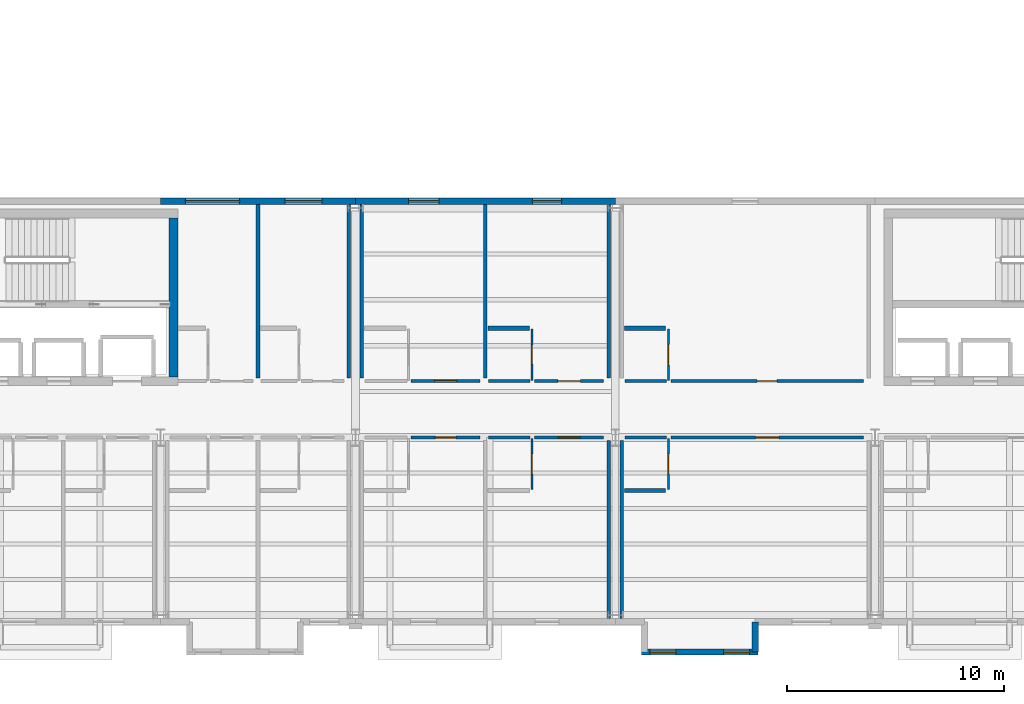
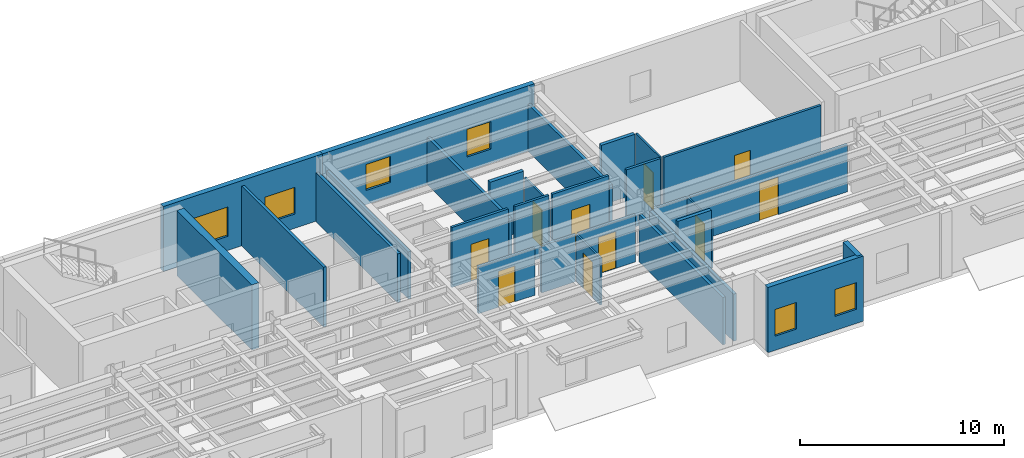
# One storey, part 31 of 46: 29 walls, 10 doors, 6 windows, 16 openings.
"""IFC4 building model written with IfcOpenShell, lengths in metres."""

from ifc_helpers import new_model, si_unit, direction, frame, frame_2d, origin, place, context, subcontext, project, spatial, rectangle, extrude, material, layer, layer_set, type_object, element, fill, save


model = new_model("IFC4")

# Units and contexts
model_context = context("Model", 3, precision=1e-05, world=origin(), true_north=direction((0.0, 1.0)))
body_context = subcontext(model_context, "Body", "Model", "MODEL_VIEW")
ifc_project = project(units=[si_unit("LENGTHUNIT", "METRE"), si_unit("AREAUNIT", "SQUARE_METRE"), si_unit("VOLUMEUNIT", "CUBIC_METRE"), si_unit("PLANEANGLEUNIT", "RADIAN"), si_unit("MASSUNIT", "GRAM", prefix="KILO")], contexts=[model_context])

# Site, building, storey
site_placement = place(None, origin())
site = spatial("IfcSite", under=ifc_project, at=site_placement, CompositionType="ELEMENT")
building_placement = place(site_placement, origin())
building = spatial("IfcBuilding", under=site, at=building_placement, Name="Sollismere Congress Hotel", CompositionType="ELEMENT")
storey_placement = place(building_placement, frame((0.0, 0.0, 19.5)))
storey = spatial("IfcBuildingStorey", under=building, at=storey_placement, Name="L04", CompositionType="ELEMENT", Elevation=19.5)

# Wall, openings, windows
ifc_material_1 = material(Name="Colorado Buff Sandstone Rainscreen on Insulated Backup", Category="masonry")
ifc_layer_1 = layer(ifc_material_1, 0.284912109375, Name="Colorado Buff Sandstone Rainscreen on Insulated Backup")
ifc_layer_set_1 = layer_set([ifc_layer_1], Name="Colorado Buff Sandstone Rainscreen on Insulated Backup")
wall_type_1 = type_object("IfcWallType", Name="WL-EXT285", PredefinedType="STANDARD", material=ifc_layer_set_1)
wall_1_placement = place(storey_placement, frame((125.199951171875, -1.699951171875, 0.0), z_axis=(0.0, 0.0, 1.0), x_axis=(1.0, 0.0, 0.0)))
wall_1 = element("IfcWall", 1, at=wall_1_placement, inside=storey, type_object=wall_type_1, Name="Exterior wall EW-L04-507", PredefinedType="STANDARD", context=body_context, shape_type="SweptSolid", body=[
    extrude(rectangle(XDim=5.400146484375, YDim=0.284912109375, at=frame_2d((2.7001953125, 0.0))), origin(), (0.0, 0.0, 1.0), 3.89990234375),
])
opening_1_placement = place(wall_1_placement, frame((0.39990234375, 0.0, 0.85009765625)))
opening_1 = element("IfcOpeningElement", 2, at=opening_1_placement, cuts=wall_1, Name="Opening W-L04-388", PredefinedType="OPENING", context=body_context, shape_type="SweptSolid", body=[
    extrude(rectangle(XDim=1.199951171875, YDim=1.60009765625, at=frame_2d((0.60009765625, 0.800048828125))), frame((0.0, 0.15234375, 0.0), z_axis=(0.0, -1.0, 0.0), x_axis=(1.0, 0.0, 0.0)), (0.0, 0.0, 1.0), 0.304931640625),
])
opening_2_placement = place(wall_1_placement, frame((3.800048828125, 0.0, 0.85009765625)))
opening_2 = element("IfcOpeningElement", 3, at=opening_2_placement, cuts=wall_1, Name="Opening W-L04-389", PredefinedType="OPENING", context=body_context, shape_type="SweptSolid", body=[
    extrude(rectangle(XDim=1.199951171875, YDim=1.60009765625, at=frame_2d((0.60009765625, 0.800048828125))), frame((0.0, 0.15234375, 0.0), z_axis=(0.0, -1.0, 0.0), x_axis=(1.0, 0.0, 0.0)), (0.0, 0.0, 1.0), 0.304931640625),
])
ifc_material_2 = material(Name="Thermally Broken Bronze Aluminum & Low-E Glass", Category="aluminium")
window_type_1 = type_object("IfcWindowType", Name="WN-P120x160", PartitioningType="SINGLE_PANEL", PredefinedType="WINDOW", material=ifc_material_2)
window_1_placement = place(opening_1_placement, origin())
window_1 = element("IfcWindow", 4, at=window_1_placement, inside=storey, type_object=window_type_1, Name="WIN-W-L04-388", OverallHeight=1.60009765625, OverallWidth=1.199951171875, PartitioningType="SINGLE_PANEL", PredefinedType="WINDOW", context=body_context, shape_type="SweptSolid", body=[
    extrude(rectangle(XDim=1.199951171875, YDim=1.60009765625, at=frame_2d((0.60009765625, 0.800048828125))), frame((0.0, 0.030029296875, 0.0), z_axis=(0.0, -1.0, 0.0), x_axis=(1.0, 0.0, 0.0)), (0.0, 0.0, 1.0), 0.06005859375),
])
fill(opening_1, window_1)
window_2_placement = place(opening_2_placement, origin())
window_2 = element("IfcWindow", 5, at=window_2_placement, inside=storey, type_object=window_type_1, Name="WIN-W-L04-389", OverallHeight=1.60009765625, OverallWidth=1.199951171875, PartitioningType="SINGLE_PANEL", PredefinedType="WINDOW", context=body_context, shape_type="SweptSolid", body=[
    extrude(rectangle(XDim=1.199951171875, YDim=1.60009765625, at=frame_2d((0.60009765625, 0.800048828125))), frame((0.0, 0.030029296875, 0.0), z_axis=(0.0, -1.0, 0.0), x_axis=(1.0, 0.0, 0.0)), (0.0, 0.0, 1.0), 0.06005859375),
])
fill(opening_2, window_2)

# Wall
wall_2_placement = place(storey_placement, frame((130.4599609375, -1.699951171875, 0.0), z_axis=(0.0, 0.0, 1.0), x_axis=(0.0, 1.0, 0.0)))
element("IfcWall", 6, at=wall_2_placement, inside=storey, type_object=wall_type_1, Name="Exterior wall EW-L04-509", PredefinedType="STANDARD", context=body_context, shape_type="SweptSolid", body=[
    extrude(rectangle(XDim=1.389892578125, YDim=0.284912109375, at=frame_2d((0.69482421875, 0.0))), origin(), (0.0, 0.0, 1.0), 3.89990234375),
])

# Wall, openings, windows
wall_3_placement = place(storey_placement, frame((112.0, 19.110107421875, 0.0), z_axis=(0.0, 0.0, 1.0), x_axis=(-1.0, 0.0, 0.0)))
wall_3 = element("IfcWall", 7, at=wall_3_placement, inside=storey, type_object=wall_type_1, Name="Exterior wall EW-L04-552", PredefinedType="STANDARD", context=body_context, shape_type="SweptSolid", body=[
    extrude(rectangle(XDim=9.0, YDim=0.284912109375, at=frame_2d((4.5, 0.0))), origin(), (0.0, 0.0, 1.0), 3.89990234375),
])
opening_3_placement = place(wall_3_placement, frame((5.35009765625, 0.0, 0.85009765625)))
opening_3 = element("IfcOpeningElement", 8, at=opening_3_placement, cuts=wall_3, Name="Opening W-L04-412", PredefinedType="OPENING", context=body_context, shape_type="SweptSolid", body=[
    extrude(rectangle(XDim=2.5, YDim=1.75, at=frame_2d((1.25, 0.875))), frame((0.0, 0.15234375, 0.0), z_axis=(0.0, -1.0, 0.0), x_axis=(1.0, 0.0, 0.0)), (0.0, 0.0, 1.0), 0.304931640625),
])
opening_4_placement = place(wall_3_placement, frame((1.550048828125, 0.0, 0.85009765625)))
opening_4 = element("IfcOpeningElement", 9, at=opening_4_placement, cuts=wall_3, Name="Opening W-L04-413", PredefinedType="OPENING", context=body_context, shape_type="SweptSolid", body=[
    extrude(rectangle(XDim=1.699951171875, YDim=1.60009765625, at=frame_2d((0.85009765625, 0.800048828125))), frame((0.0, 0.15234375, 0.0), z_axis=(0.0, -1.0, 0.0), x_axis=(1.0, 0.0, 0.0)), (0.0, 0.0, 1.0), 0.304931640625),
])
window_type_2 = type_object("IfcWindowType", Name="WN-P170x160", PartitioningType="SINGLE_PANEL", PredefinedType="WINDOW", material=ifc_material_2)
window_3_placement = place(opening_4_placement, origin())
window_3 = element("IfcWindow", 10, at=window_3_placement, inside=storey, type_object=window_type_2, Name="WIN-W-L04-413", OverallHeight=1.60009765625, OverallWidth=1.699951171875, PartitioningType="SINGLE_PANEL", PredefinedType="WINDOW", context=body_context, shape_type="SweptSolid", body=[
    extrude(rectangle(XDim=1.699951171875, YDim=1.60009765625, at=frame_2d((0.85009765625, 0.800048828125))), frame((0.0, 0.030029296875, 0.0), z_axis=(0.0, -1.0, 0.0), x_axis=(1.0, 0.0, 0.0)), (0.0, 0.0, 1.0), 0.06005859375),
])
fill(opening_4, window_3)
window_type_3 = type_object("IfcWindowType", Name="WN-P250x175", PartitioningType="SINGLE_PANEL", PredefinedType="WINDOW", material=ifc_material_2)
window_4_placement = place(opening_3_placement, origin())
window_4 = element("IfcWindow", 11, at=window_4_placement, inside=storey, type_object=window_type_3, Name="WIN-W-L04-412", OverallHeight=1.75, OverallWidth=2.5, PartitioningType="SINGLE_PANEL", PredefinedType="WINDOW", context=body_context, shape_type="SweptSolid", body=[
    extrude(rectangle(XDim=2.5, YDim=1.75, at=frame_2d((1.25, 0.875))), frame((0.0, 0.030029296875, 0.0), z_axis=(0.0, -1.0, 0.0), x_axis=(1.0, 0.0, 0.0)), (0.0, 0.0, 1.0), 0.06005859375),
])
fill(opening_3, window_4)

wall_4_placement = place(storey_placement, frame((124.0, 19.110107421875, 0.0), z_axis=(0.0, 0.0, 1.0), x_axis=(-1.0, 0.0, 0.0)))
wall_4 = element("IfcWall", 12, at=wall_4_placement, inside=storey, type_object=wall_type_1, Name="Exterior wall EW-L04-553", PredefinedType="STANDARD", context=body_context, shape_type="SweptSolid", body=[
    extrude(rectangle(XDim=12.0, YDim=0.284912109375, at=frame_2d((6.0, 0.0))), origin(), (0.0, 0.0, 1.0), 3.89990234375),
])
opening_5_placement = place(wall_4_placement, frame((8.14990234375, 0.0, 0.85009765625)))
opening_5 = element("IfcOpeningElement", 13, at=opening_5_placement, cuts=wall_4, Name="Opening W-L04-414", PredefinedType="OPENING", context=body_context, shape_type="SweptSolid", body=[
    extrude(rectangle(XDim=1.39990234375, YDim=1.550048828125, at=frame_2d((0.699951171875, 0.77490234375))), frame((0.0, 0.15234375, 0.0), z_axis=(0.0, -1.0, 0.0), x_axis=(1.0, 0.0, 0.0)), (0.0, 0.0, 1.0), 0.304931640625),
])
opening_6_placement = place(wall_4_placement, frame((2.47509765625, 0.0, 0.85009765625)))
opening_6 = element("IfcOpeningElement", 14, at=opening_6_placement, cuts=wall_4, Name="Opening W-L04-415", PredefinedType="OPENING", context=body_context, shape_type="SweptSolid", body=[
    extrude(rectangle(XDim=1.35009765625, YDim=1.64990234375, at=frame_2d((0.675048828125, 0.824951171875))), frame((0.0, 0.15234375, 0.0), z_axis=(0.0, -1.0, 0.0), x_axis=(1.0, 0.0, 0.0)), (0.0, 0.0, 1.0), 0.304931640625),
])
window_type_4 = type_object("IfcWindowType", Name="WN-P135x165", PartitioningType="SINGLE_PANEL", PredefinedType="WINDOW", material=ifc_material_2)
window_5_placement = place(opening_6_placement, origin())
window_5 = element("IfcWindow", 15, at=window_5_placement, inside=storey, type_object=window_type_4, Name="WIN-W-L04-415", OverallHeight=1.64990234375, OverallWidth=1.35009765625, PartitioningType="SINGLE_PANEL", PredefinedType="WINDOW", context=body_context, shape_type="SweptSolid", body=[
    extrude(rectangle(XDim=1.35009765625, YDim=1.64990234375, at=frame_2d((0.675048828125, 0.824951171875))), frame((0.0, 0.030029296875, 0.0), z_axis=(0.0, -1.0, 0.0), x_axis=(1.0, 0.0, 0.0)), (0.0, 0.0, 1.0), 0.06005859375),
])
fill(opening_6, window_5)
window_type_5 = type_object("IfcWindowType", Name="WN-P140x155", PartitioningType="SINGLE_PANEL", PredefinedType="WINDOW", material=ifc_material_2)
window_6_placement = place(opening_5_placement, origin())
window_6 = element("IfcWindow", 16, at=window_6_placement, inside=storey, type_object=window_type_5, Name="WIN-W-L04-414", OverallHeight=1.550048828125, OverallWidth=1.39990234375, PartitioningType="SINGLE_PANEL", PredefinedType="WINDOW", context=body_context, shape_type="SweptSolid", body=[
    extrude(rectangle(XDim=1.39990234375, YDim=1.550048828125, at=frame_2d((0.699951171875, 0.77490234375))), frame((0.0, 0.030029296875, 0.0), z_axis=(0.0, -1.0, 0.0), x_axis=(1.0, 0.0, 0.0)), (0.0, 0.0, 1.0), 0.06005859375),
])
fill(opening_5, window_6)

# Walls
ifc_material_3 = material(Name="Moisture-Resistant Shaft Gypsum Assembly")
ifc_layer_2 = layer(ifc_material_3, 0.199951171875, Name="Moisture-Resistant Shaft Gypsum Assembly")
ifc_layer_set_2 = layer_set([ifc_layer_2], Name="Moisture-Resistant Shaft Gypsum Assembly")
wall_type_2 = type_object("IfcWallType", Name="WL-PLM200", PredefinedType="PLUMBINGWALL", material=ifc_layer_set_2)
wall_5_placement = place(storey_placement, frame((118.1201171875, 13.25, 0.0), z_axis=(0.0, 0.0, 1.0), x_axis=(1.0, 0.0, 0.0)))
element("IfcWall", 17, at=wall_5_placement, inside=storey, type_object=wall_type_2, Name="Interior wall IW-L04-1620", PredefinedType="PLUMBINGWALL", context=body_context, shape_type="SweptSolid", body=[
    extrude(rectangle(XDim=1.909912109375, YDim=0.199951171875, at=frame_2d((0.955078125, 0.0))), origin(), (0.0, 0.0, 1.0), 3.5849609375),
])
for number, where, z_axis, x_axis, name in (
    (18, (124.419921875, 5.75, 0.0), (0.0, 0.0, 1.0), (1.0, 0.0, 0.0), "Interior wall IW-L04-1626"),
    (19, (124.419921875, 13.25, 0.0), (0.0, 0.0, 1.0), (1.0, 0.0, 0.0), "Interior wall IW-L04-1632"),
):
    element("IfcWall", number, at=place(storey_placement, frame(where, z_axis=z_axis, x_axis=x_axis)), inside=storey, type_object=wall_type_2, Name=name, PredefinedType="PLUMBINGWALL", context=body_context, shape_type="SweptSolid", body=[
        extrude(rectangle(XDim=1.91015625, YDim=0.199951171875, at=frame_2d((0.955078125, 0.0))), origin(), (0.0, 0.0, 1.0), 3.5849609375),
    ])

# Wall, opening, door
ifc_material_4 = material(Name="Moisture-Resistant Gypsum Partition")
ifc_layer_3 = layer(ifc_material_4, 0.10009765625, Name="Moisture-Resistant Gypsum Partition")
ifc_layer_set_3 = layer_set([ifc_layer_3], Name="Moisture-Resistant Gypsum Partition")
wall_type_3 = type_object("IfcWallType", Name="WL-PRT100", PredefinedType="PARTITIONING", material=ifc_layer_set_3)
wall_6_placement = place(storey_placement, frame((120.14990234375, 5.7900390625, 0.0), z_axis=(0.0, 0.0, 1.0), x_axis=(0.0, 1.0, 0.0)))
wall_6 = element("IfcWall", 20, at=wall_6_placement, inside=storey, type_object=wall_type_3, Name="Interior wall IW-L04-1608", PredefinedType="PARTITIONING", context=body_context, shape_type="SweptSolid", body=[
    extrude(rectangle(XDim=2.369873046875, YDim=0.10009765625, at=frame_2d((1.18505859375, 0.0))), origin(), (0.0, 0.0, 1.0), 2.822998046875),
])
opening_7_placement = place(wall_6_placement, frame((0.719970703125, 0.0, 0.0)))
opening_7 = element("IfcOpeningElement", 21, at=opening_7_placement, cuts=wall_6, Name="Opening D-L04-0568", PredefinedType="OPENING", context=body_context, shape_type="SweptSolid", body=[
    extrude(rectangle(XDim=0.929931640625, YDim=2.139892578125, at=frame_2d((0.46484375, 1.06982421875))), frame((0.0, 0.06005859375, 0.0), z_axis=(0.0, -1.0, 0.0), x_axis=(1.0, 0.0, 0.0)), (0.0, 0.0, 1.0), 0.1201171875),
])
ifc_material_5 = material(Name="Moisture-Sealed Timber Bathroom Door", Category="wood")
door_type_1 = type_object("IfcDoorType", Name="DR-BT03", OperationType="NOTDEFINED", PredefinedType="DOOR", material=ifc_material_5)
door_1_placement = place(opening_7_placement, origin())
door_1 = element("IfcDoor", 22, at=door_1_placement, inside=storey, type_object=door_type_1, Name="En-suite bathroom door D-L04-0568", OperationType="SINGLE_SWING_LEFT", OverallHeight=2.139892578125, OverallWidth=0.929931640625, PredefinedType="DOOR", context=body_context, shape_type="SweptSolid", body=[
    extrude(rectangle(XDim=0.929931640625, YDim=2.139892578125, at=frame_2d((0.46484375, 1.06982421875))), frame((0.0, 0.02490234375, 0.0), z_axis=(0.0, -1.0, 0.0), x_axis=(1.0, 0.0, 0.0)), (0.0, 0.0, 1.0), 0.050048828125),
])
fill(opening_7, door_1)

wall_7_placement = place(storey_placement, frame((120.14990234375, 10.840087890625, 0.0), z_axis=(0.0, 0.0, 1.0), x_axis=(0.0, 1.0, 0.0)))
wall_7 = element("IfcWall", 23, at=wall_7_placement, inside=storey, type_object=wall_type_3, Name="Interior wall IW-L04-1619", PredefinedType="PARTITIONING", context=body_context, shape_type="SweptSolid", body=[
    extrude(rectangle(XDim=2.369873046875, YDim=0.10009765625, at=frame_2d((1.18505859375, 0.0))), origin(), (0.0, 0.0, 1.0), 3.14306640625),
])
opening_8_placement = place(wall_7_placement, frame((0.7451171875, 0.0, 0.0)))
opening_8 = element("IfcOpeningElement", 24, at=opening_8_placement, cuts=wall_7, Name="Opening D-L04-0572", PredefinedType="OPENING", context=body_context, shape_type="SweptSolid", body=[
    extrude(rectangle(XDim=0.8798828125, YDim=2.179931640625, at=frame_2d((0.43994140625, 1.08984375))), frame((0.0, 0.06005859375, 0.0), z_axis=(0.0, -1.0, 0.0), x_axis=(1.0, 0.0, 0.0)), (0.0, 0.0, 1.0), 0.1201171875),
])
door_type_2 = type_object("IfcDoorType", Name="DR-BT05", OperationType="NOTDEFINED", PredefinedType="DOOR", material=ifc_material_5)
door_2_placement = place(opening_8_placement, origin())
door_2 = element("IfcDoor", 25, at=door_2_placement, inside=storey, type_object=door_type_2, Name="En-suite bathroom door D-L04-0572", OperationType="SINGLE_SWING_LEFT", OverallHeight=2.179931640625, OverallWidth=0.8798828125, PredefinedType="DOOR", context=body_context, shape_type="SweptSolid", body=[
    extrude(rectangle(XDim=0.8798828125, YDim=2.179931640625, at=frame_2d((0.43994140625, 1.08984375))), frame((0.0, 0.02490234375, 0.0), z_axis=(0.0, -1.0, 0.0), x_axis=(1.0, 0.0, 0.0)), (0.0, 0.0, 1.0), 0.050048828125),
])
fill(opening_8, door_2)

wall_8_placement = place(storey_placement, frame((126.449951171875, 5.7900390625, 0.0), z_axis=(0.0, 0.0, 1.0), x_axis=(0.0, 1.0, 0.0)))
wall_8 = element("IfcWall", 26, at=wall_8_placement, inside=storey, type_object=wall_type_3, Name="Interior wall IW-L04-1625", PredefinedType="PARTITIONING", context=body_context, shape_type="SweptSolid", body=[
    extrude(rectangle(XDim=2.369873046875, YDim=0.10009765625, at=frame_2d((1.18505859375, 0.0))), origin(), (0.0, 0.0, 1.0), 2.822998046875),
])
opening_9_placement = place(wall_8_placement, frame((0.73291015625, 0.0, 0.0)))
opening_9 = element("IfcOpeningElement", 27, at=opening_9_placement, cuts=wall_8, Name="Opening D-L04-0574", PredefinedType="OPENING", context=body_context, shape_type="SweptSolid", body=[
    extrude(rectangle(XDim=0.905029296875, YDim=2.179931640625, at=frame_2d((0.45263671875, 1.08984375))), frame((0.0, 0.06005859375, 0.0), z_axis=(0.0, -1.0, 0.0), x_axis=(1.0, 0.0, 0.0)), (0.0, 0.0, 1.0), 0.1201171875),
])
door_type_3 = type_object("IfcDoorType", Name="DR-BT06", OperationType="NOTDEFINED", PredefinedType="DOOR", material=ifc_material_5)
door_3_placement = place(opening_9_placement, origin())
door_3 = element("IfcDoor", 28, at=door_3_placement, inside=storey, type_object=door_type_3, Name="En-suite bathroom door D-L04-0574", OperationType="SINGLE_SWING_LEFT", OverallHeight=2.179931640625, OverallWidth=0.905029296875, PredefinedType="DOOR", context=body_context, shape_type="SweptSolid", body=[
    extrude(rectangle(XDim=0.905029296875, YDim=2.179931640625, at=frame_2d((0.45263671875, 1.08984375))), frame((0.0, 0.02490234375, 0.0), z_axis=(0.0, -1.0, 0.0), x_axis=(1.0, 0.0, 0.0)), (0.0, 0.0, 1.0), 0.050048828125),
])
fill(opening_9, door_3)

wall_9_placement = place(storey_placement, frame((126.449951171875, 10.840087890625, 0.0), z_axis=(0.0, 0.0, 1.0), x_axis=(0.0, 1.0, 0.0)))
wall_9 = element("IfcWall", 29, at=wall_9_placement, inside=storey, type_object=wall_type_3, Name="Interior wall IW-L04-1631", PredefinedType="PARTITIONING", context=body_context, shape_type="SweptSolid", body=[
    extrude(rectangle(XDim=2.369873046875, YDim=0.10009765625, at=frame_2d((1.18505859375, 0.0))), origin(), (0.0, 0.0, 1.0), 3.5849609375),
])
opening_10_placement = place(wall_9_placement, frame((0.719970703125, 0.0, 0.0)))
opening_10 = element("IfcOpeningElement", 30, at=opening_10_placement, cuts=wall_9, Name="Opening D-L04-0576", PredefinedType="OPENING", context=body_context, shape_type="SweptSolid", body=[
    extrude(rectangle(XDim=0.929931640625, YDim=2.219970703125, at=frame_2d((0.46484375, 1.10986328125))), frame((0.0, 0.06005859375, 0.0), z_axis=(0.0, -1.0, 0.0), x_axis=(1.0, 0.0, 0.0)), (0.0, 0.0, 1.0), 0.1201171875),
])
door_type_4 = type_object("IfcDoorType", Name="DR-BT07", OperationType="NOTDEFINED", PredefinedType="DOOR", material=ifc_material_5)
door_4_placement = place(opening_10_placement, origin())
door_4 = element("IfcDoor", 31, at=door_4_placement, inside=storey, type_object=door_type_4, Name="En-suite bathroom door D-L04-0576", OperationType="SINGLE_SWING_LEFT", OverallHeight=2.219970703125, OverallWidth=0.929931640625, PredefinedType="DOOR", context=body_context, shape_type="SweptSolid", body=[
    extrude(rectangle(XDim=0.929931640625, YDim=2.219970703125, at=frame_2d((0.46484375, 1.10986328125))), frame((0.0, 0.02490234375, 0.0), z_axis=(0.0, -1.0, 0.0), x_axis=(1.0, 0.0, 0.0)), (0.0, 0.0, 1.0), 0.050048828125),
])
fill(opening_10, door_4)

ifc_material_6 = material(Name="Fire-Rated Gypsum Partition")
ifc_layer_4 = layer(ifc_material_6, 0.139892578125, Name="Fire-Rated Gypsum Partition")
ifc_layer_set_4 = layer_set([ifc_layer_4], Name="Fire-Rated Gypsum Partition")
wall_type_4 = type_object("IfcWallType", Name="WL-PRT140R", PredefinedType="PARTITIONING", material=ifc_layer_set_4)
wall_10_placement = place(storey_placement, frame((114.570068359375, 8.199951171875, 0.0), z_axis=(0.0, 0.0, 1.0), x_axis=(1.0, 0.0, 0.0)))
wall_10 = element("IfcWall", 32, at=wall_10_placement, inside=storey, type_object=wall_type_4, Name="Interior wall IW-L04-1600", PredefinedType="PARTITIONING", context=body_context, shape_type="SweptSolid", body=[
    extrude(rectangle(XDim=3.18994140625, YDim=0.139892578125, at=frame_2d((1.594970703125, 0.0))), origin(), (0.0, 0.0, 1.0), 2.822998046875),
])
opening_11_placement = place(wall_10_placement, frame((1.1201171875, 0.0, 0.0)))
opening_11 = element("IfcOpeningElement", 33, at=opening_11_placement, cuts=wall_10, Name="Opening D-L04-0565", PredefinedType="OPENING", context=body_context, shape_type="SweptSolid", body=[
    extrude(rectangle(XDim=0.949951171875, YDim=2.14990234375, at=frame_2d((0.47509765625, 1.074951171875))), frame((0.0, 0.079833984375, 0.0), z_axis=(0.0, -1.0, 0.0), x_axis=(1.0, 0.0, 0.0)), (0.0, 0.0, 1.0), 0.159912109375),
])
ifc_material_7 = material(Name="Solid-Core Acoustic Walnut Guestroom Entry Door")
door_type_5 = type_object("IfcDoorType", Name="DR-KY02", OperationType="NOTDEFINED", PredefinedType="DOOR", material=ifc_material_7)
door_5_placement = place(opening_11_placement, origin())
door_5 = element("IfcDoor", 34, at=door_5_placement, inside=storey, type_object=door_type_5, Name="Hotel room entry door D-L04-0565", OperationType="SINGLE_SWING_RIGHT", OverallHeight=2.14990234375, OverallWidth=0.949951171875, PredefinedType="DOOR", context=body_context, shape_type="SweptSolid", body=[
    extrude(rectangle(XDim=0.949951171875, YDim=2.14990234375, at=frame_2d((0.47509765625, 1.074951171875))), frame((0.0, 0.02490234375, 0.0), z_axis=(0.0, -1.0, 0.0), x_axis=(1.0, 0.0, 0.0)), (0.0, 0.0, 1.0), 0.050048828125),
])
fill(opening_11, door_5)

# Wall
wall_11_placement = place(storey_placement, frame((118.139892578125, 8.199951171875, 0.0), z_axis=(0.0, 0.0, 1.0), x_axis=(1.0, 0.0, 0.0)))
element("IfcWall", 35, at=wall_11_placement, inside=storey, type_object=wall_type_4, Name="Interior wall IW-L04-1605", PredefinedType="PARTITIONING", context=body_context, shape_type="SweptSolid", body=[
    extrude(rectangle(XDim=1.93017578125, YDim=0.139892578125, at=frame_2d((0.965087890625, 0.0))), origin(), (0.0, 0.0, 1.0), 2.822998046875),
])

# Wall, opening, door
wall_12_placement = place(storey_placement, frame((120.27001953125, 8.199951171875, 0.0), z_axis=(0.0, 0.0, 1.0), x_axis=(1.0, 0.0, 0.0)))
wall_12 = element("IfcWall", 36, at=wall_12_placement, inside=storey, type_object=wall_type_4, Name="Interior wall IW-L04-1606", PredefinedType="PARTITIONING", context=body_context, shape_type="SweptSolid", body=[
    extrude(rectangle(XDim=3.18994140625, YDim=0.139892578125, at=frame_2d((1.594970703125, 0.0))), origin(), (0.0, 0.0, 1.0), 2.822998046875),
])
opening_12_placement = place(wall_12_placement, frame((1.10498046875, 0.0, 0.0)))
opening_12 = element("IfcOpeningElement", 37, at=opening_12_placement, cuts=wall_12, Name="Opening D-L04-0567", PredefinedType="OPENING", context=body_context, shape_type="SweptSolid", body=[
    extrude(rectangle(XDim=0.97998046875, YDim=2.199951171875, at=frame_2d((0.489990234375, 1.10009765625))), frame((0.0, 0.079833984375, 0.0), z_axis=(0.0, -1.0, 0.0), x_axis=(1.0, 0.0, 0.0)), (0.0, 0.0, 1.0), 0.159912109375),
])
door_type_6 = type_object("IfcDoorType", Name="DR-KY03", OperationType="NOTDEFINED", PredefinedType="DOOR", material=ifc_material_7)
door_6_placement = place(opening_12_placement, origin())
door_6 = element("IfcDoor", 38, at=door_6_placement, inside=storey, type_object=door_type_6, Name="Hotel room entry door D-L04-0567", OperationType="SINGLE_SWING_RIGHT", OverallHeight=2.199951171875, OverallWidth=0.97998046875, PredefinedType="DOOR", context=body_context, shape_type="SweptSolid", body=[
    extrude(rectangle(XDim=0.97998046875, YDim=2.199951171875, at=frame_2d((0.489990234375, 1.10009765625))), frame((0.0, 0.02490234375, 0.0), z_axis=(0.0, -1.0, 0.0), x_axis=(1.0, 0.0, 0.0)), (0.0, 0.0, 1.0), 0.050048828125),
])
fill(opening_12, door_6)

wall_13_placement = place(storey_placement, frame((114.570068359375, 10.800048828125, 0.0), z_axis=(0.0, 0.0, 1.0), x_axis=(1.0, 0.0, 0.0)))
wall_13 = element("IfcWall", 39, at=wall_13_placement, inside=storey, type_object=wall_type_4, Name="Interior wall IW-L04-1611", PredefinedType="PARTITIONING", context=body_context, shape_type="SweptSolid", body=[
    extrude(rectangle(XDim=3.18994140625, YDim=0.139892578125, at=frame_2d((1.594970703125, 0.0))), origin(), (0.0, 0.0, 1.0), 3.5849609375),
])
opening_13_placement = place(wall_13_placement, frame((1.090087890625, 0.0, 0.0)))
opening_13 = element("IfcOpeningElement", 40, at=opening_13_placement, cuts=wall_13, Name="Opening D-L04-0569", PredefinedType="OPENING", context=body_context, shape_type="SweptSolid", body=[
    extrude(rectangle(XDim=1.010009765625, YDim=2.199951171875, at=frame_2d((0.5048828125, 1.10009765625))), frame((0.0, 0.079833984375, 0.0), z_axis=(0.0, -1.0, 0.0), x_axis=(1.0, 0.0, 0.0)), (0.0, 0.0, 1.0), 0.159912109375),
])
door_type_7 = type_object("IfcDoorType", Name="DR-KY04", OperationType="NOTDEFINED", PredefinedType="DOOR", material=ifc_material_7)
door_7_placement = place(opening_13_placement, origin())
door_7 = element("IfcDoor", 41, at=door_7_placement, inside=storey, type_object=door_type_7, Name="Hotel room entry door D-L04-0569", OperationType="SINGLE_SWING_RIGHT", OverallHeight=2.199951171875, OverallWidth=1.010009765625, PredefinedType="DOOR", context=body_context, shape_type="SweptSolid", body=[
    extrude(rectangle(XDim=1.010009765625, YDim=2.199951171875, at=frame_2d((0.5048828125, 1.10009765625))), frame((0.0, 0.02490234375, 0.0), z_axis=(0.0, -1.0, 0.0), x_axis=(1.0, 0.0, 0.0)), (0.0, 0.0, 1.0), 0.050048828125),
])
fill(opening_13, door_7)

# Wall
wall_14_placement = place(storey_placement, frame((118.139892578125, 10.800048828125, 0.0), z_axis=(0.0, 0.0, 1.0), x_axis=(1.0, 0.0, 0.0)))
element("IfcWall", 42, at=wall_14_placement, inside=storey, type_object=wall_type_4, Name="Interior wall IW-L04-1616", PredefinedType="PARTITIONING", context=body_context, shape_type="SweptSolid", body=[
    extrude(rectangle(XDim=1.93017578125, YDim=0.139892578125, at=frame_2d((0.965087890625, 0.0))), origin(), (0.0, 0.0, 1.0), 3.5849609375),
])

# Wall, opening, door
wall_15_placement = place(storey_placement, frame((120.27001953125, 10.800048828125, 0.0), z_axis=(0.0, 0.0, 1.0), x_axis=(1.0, 0.0, 0.0)))
wall_15 = element("IfcWall", 43, at=wall_15_placement, inside=storey, type_object=wall_type_4, Name="Interior wall IW-L04-1617", PredefinedType="PARTITIONING", context=body_context, shape_type="SweptSolid", body=[
    extrude(rectangle(XDim=3.18994140625, YDim=0.139892578125, at=frame_2d((1.594970703125, 0.0))), origin(), (0.0, 0.0, 1.0), 3.5849609375),
])
opening_14_placement = place(wall_15_placement, frame((1.074951171875, 0.0, 0.0)))
opening_14 = element("IfcOpeningElement", 44, at=opening_14_placement, cuts=wall_15, Name="Opening D-L04-0571", PredefinedType="OPENING", context=body_context, shape_type="SweptSolid", body=[
    extrude(rectangle(XDim=1.0400390625, YDim=2.25, at=frame_2d((0.52001953125, 1.125))), frame((0.0, 0.079833984375, 0.0), z_axis=(0.0, -1.0, 0.0), x_axis=(1.0, 0.0, 0.0)), (0.0, 0.0, 1.0), 0.159912109375),
])
door_type_8 = type_object("IfcDoorType", Name="DR-KY05", OperationType="NOTDEFINED", PredefinedType="DOOR", material=ifc_material_7)
door_8_placement = place(opening_14_placement, origin())
door_8 = element("IfcDoor", 45, at=door_8_placement, inside=storey, type_object=door_type_8, Name="Hotel room entry door D-L04-0571", OperationType="SINGLE_SWING_RIGHT", OverallHeight=2.25, OverallWidth=1.0400390625, PredefinedType="DOOR", context=body_context, shape_type="SweptSolid", body=[
    extrude(rectangle(XDim=1.0400390625, YDim=2.25, at=frame_2d((0.52001953125, 1.125))), frame((0.0, 0.02490234375, 0.0), z_axis=(0.0, -1.0, 0.0), x_axis=(1.0, 0.0, 0.0)), (0.0, 0.0, 1.0), 0.050048828125),
])
fill(opening_14, door_8)

# Wall
wall_16_placement = place(storey_placement, frame((124.43994140625, 8.199951171875, 0.0), z_axis=(0.0, 0.0, 1.0), x_axis=(1.0, 0.0, 0.0)))
element("IfcWall", 46, at=wall_16_placement, inside=storey, type_object=wall_type_4, Name="Interior wall IW-L04-1621", PredefinedType="PARTITIONING", context=body_context, shape_type="SweptSolid", body=[
    extrude(rectangle(XDim=1.93017578125, YDim=0.139892578125, at=frame_2d((0.965087890625, 0.0))), origin(), (0.0, 0.0, 1.0), 2.822998046875),
])

# Wall, opening, door
wall_17_placement = place(storey_placement, frame((126.570068359375, 8.199951171875, 0.0), z_axis=(0.0, 0.0, 1.0), x_axis=(1.0, 0.0, 0.0)))
wall_17 = element("IfcWall", 47, at=wall_17_placement, inside=storey, type_object=wall_type_4, Name="Interior wall IW-L04-1622", PredefinedType="PARTITIONING", context=body_context, shape_type="SweptSolid", body=[
    extrude(rectangle(XDim=8.889892578125, YDim=0.139892578125, at=frame_2d((4.44482421875, 0.0))), origin(), (0.0, 0.0, 1.0), 2.822998046875),
])
opening_15_placement = place(wall_17_placement, frame((3.909912109375, 0.0, 0.0)))
opening_15 = element("IfcOpeningElement", 48, at=opening_15_placement, cuts=wall_17, Name="Opening D-L04-0573", PredefinedType="OPENING", context=body_context, shape_type="SweptSolid", body=[
    extrude(rectangle(XDim=1.070068359375, YDim=2.25, at=frame_2d((0.53515625, 1.125))), frame((0.0, 0.079833984375, 0.0), z_axis=(0.0, -1.0, 0.0), x_axis=(1.0, 0.0, 0.0)), (0.0, 0.0, 1.0), 0.159912109375),
])
door_type_9 = type_object("IfcDoorType", Name="DR-KY06", OperationType="NOTDEFINED", PredefinedType="DOOR", material=ifc_material_7)
door_9_placement = place(opening_15_placement, origin())
door_9 = element("IfcDoor", 49, at=door_9_placement, inside=storey, type_object=door_type_9, Name="Hotel room entry door D-L04-0573", OperationType="SINGLE_SWING_RIGHT", OverallHeight=2.25, OverallWidth=1.070068359375, PredefinedType="DOOR", context=body_context, shape_type="SweptSolid", body=[
    extrude(rectangle(XDim=1.070068359375, YDim=2.25, at=frame_2d((0.53515625, 1.125))), frame((0.0, 0.02490234375, 0.0), z_axis=(0.0, -1.0, 0.0), x_axis=(1.0, 0.0, 0.0)), (0.0, 0.0, 1.0), 0.050048828125),
])
fill(opening_15, door_9)

# Wall
wall_18_placement = place(storey_placement, frame((124.43994140625, 10.800048828125, 0.0), z_axis=(0.0, 0.0, 1.0), x_axis=(1.0, 0.0, 0.0)))
element("IfcWall", 50, at=wall_18_placement, inside=storey, type_object=wall_type_4, Name="Interior wall IW-L04-1627", PredefinedType="PARTITIONING", context=body_context, shape_type="SweptSolid", body=[
    extrude(rectangle(XDim=1.93017578125, YDim=0.139892578125, at=frame_2d((0.965087890625, 0.0))), origin(), (0.0, 0.0, 1.0), 3.5849609375),
])

# Wall, opening, door
wall_19_placement = place(storey_placement, frame((126.570068359375, 10.800048828125, 0.0), z_axis=(0.0, 0.0, 1.0), x_axis=(1.0, 0.0, 0.0)))
wall_19 = element("IfcWall", 51, at=wall_19_placement, inside=storey, type_object=wall_type_4, Name="Interior wall IW-L04-1628", PredefinedType="PARTITIONING", context=body_context, shape_type="SweptSolid", body=[
    extrude(rectangle(XDim=8.889892578125, YDim=0.139892578125, at=frame_2d((4.44482421875, 0.0))), origin(), (0.0, 0.0, 1.0), 3.5849609375),
])
opening_16_placement = place(wall_19_placement, frame((3.985107421875, 0.0, 0.0)))
opening_16 = element("IfcOpeningElement", 52, at=opening_16_placement, cuts=wall_19, Name="Opening D-L04-0575", PredefinedType="OPENING", context=body_context, shape_type="SweptSolid", body=[
    extrude(rectangle(XDim=0.919921875, YDim=2.300048828125, at=frame_2d((0.4599609375, 1.14990234375))), frame((0.0, 0.079833984375, 0.0), z_axis=(0.0, -1.0, 0.0), x_axis=(1.0, 0.0, 0.0)), (0.0, 0.0, 1.0), 0.159912109375),
])
door_type_10 = type_object("IfcDoorType", Name="DR-KY07", OperationType="NOTDEFINED", PredefinedType="DOOR", material=ifc_material_7)
door_10_placement = place(opening_16_placement, origin())
door_10 = element("IfcDoor", 53, at=door_10_placement, inside=storey, type_object=door_type_10, Name="Hotel room entry door D-L04-0575", OperationType="SINGLE_SWING_RIGHT", OverallHeight=2.300048828125, OverallWidth=0.919921875, PredefinedType="DOOR", context=body_context, shape_type="SweptSolid", body=[
    extrude(rectangle(XDim=0.919921875, YDim=2.300048828125, at=frame_2d((0.4599609375, 1.14990234375))), frame((0.0, 0.02490234375, 0.0), z_axis=(0.0, -1.0, 0.0), x_axis=(1.0, 0.0, 0.0)), (0.0, 0.0, 1.0), 0.050048828125),
])
fill(opening_16, door_10)

# Walls
ifc_material_8 = material(Name="Fire-Rated Acoustic Gypsum Partition")
ifc_layer_5 = layer(ifc_material_8, 0.1650390625, Name="Fire-Rated Acoustic Gypsum Partition")
ifc_layer_set_5 = layer_set([ifc_layer_5], Name="Fire-Rated Acoustic Gypsum Partition")
wall_type_5 = type_object("IfcWallType", Name="WL-PRT165R", PredefinedType="PARTITIONING", material=ifc_layer_set_5)
wall_20_placement = place(storey_placement, frame((107.5, 10.93994140625, 0.0), z_axis=(0.0, 0.0, 1.0), x_axis=(0.0, 1.0, 0.0)))
element("IfcWall", 54, at=wall_20_placement, inside=storey, type_object=wall_type_5, Name="Interior wall IW-L04-1591", PredefinedType="PARTITIONING", context=body_context, shape_type="SweptSolid", body=[
    extrude(rectangle(XDim=8.012451171875, YDim=0.1650390625, at=frame_2d((4.00634765625, 0.0))), origin(), (0.0, 0.0, 1.0), 3.5849609375),
])
wall_21_placement = place(storey_placement, frame((111.699951171875, 10.93994140625, 0.0), z_axis=(0.0, 0.0, 1.0), x_axis=(0.0, 1.0, 0.0)))
element("IfcWall", 55, at=wall_21_placement, inside=storey, type_object=wall_type_5, Name="Interior wall IW-L04-1596", PredefinedType="PARTITIONING", context=body_context, shape_type="SweptSolid", body=[
    extrude(rectangle(XDim=8.012451171875, YDim=0.1650390625, at=frame_2d((4.00634765625, 0.0))), origin(), (0.0, 0.0, 1.0), 2.9140625),
])
wall_22_placement = place(storey_placement, frame((123.699951171875, -0.152587890625, 0.0), z_axis=(0.0, 0.0, 1.0), x_axis=(0.0, 1.0, 0.0)))
element("IfcWall", 56, at=wall_22_placement, inside=storey, type_object=wall_type_5, Name="Interior wall IW-L04-1607", PredefinedType="PARTITIONING", context=body_context, shape_type="SweptSolid", body=[
    extrude(rectangle(XDim=8.212646484375, YDim=0.1650390625, at=frame_2d((4.1064453125, 0.0))), origin(), (0.0, 0.0, 1.0), 2.822998046875),
])
for number, where, z_axis, x_axis, name in (
    (57, (112.300048828125, 10.93994140625, 0.0), (0.0, 0.0, 1.0), (0.0, 1.0, 0.0), "Interior wall IW-L04-1612"),
    (58, (118.0, 10.93994140625, 0.0), (0.0, 0.0, 1.0), (0.0, 1.0, 0.0), "Interior wall IW-L04-1613"),
    (59, (123.699951171875, 10.93994140625, 0.0), (0.0, 0.0, 1.0), (0.0, 1.0, 0.0), "Interior wall IW-L04-1618"),
):
    element("IfcWall", number, at=place(storey_placement, frame(where, z_axis=z_axis, x_axis=x_axis)), inside=storey, type_object=wall_type_5, Name=name, PredefinedType="PARTITIONING", context=body_context, shape_type="SweptSolid", body=[
        extrude(rectangle(XDim=8.012451171875, YDim=0.1650390625, at=frame_2d((4.00634765625, 0.0))), origin(), (0.0, 0.0, 1.0), 2.822998046875),
    ])
wall_23_placement = place(storey_placement, frame((124.300048828125, -0.152587890625, 0.0), z_axis=(0.0, 0.0, 1.0), x_axis=(0.0, 1.0, 0.0)))
element("IfcWall", 60, at=wall_23_placement, inside=storey, type_object=wall_type_5, Name="Interior wall IW-L04-1623", PredefinedType="PARTITIONING", context=body_context, shape_type="SweptSolid", body=[
    extrude(rectangle(XDim=8.212646484375, YDim=0.1650390625, at=frame_2d((4.1064453125, 0.0))), origin(), (0.0, 0.0, 1.0), 2.822998046875),
])
ifc_material_9 = material(Name="Concrete C50/60", Category="concrete")
ifc_layer_6 = layer(ifc_material_9, 0.39990234375, Name="Concrete C50/60")
ifc_layer_set_6 = layer_set([ifc_layer_6], Name="Concrete C50/60")
wall_type_6 = type_object("IfcWallType", Name="WL-SHR400", PredefinedType="SHEAR", material=ifc_layer_set_6)
wall_24_placement = place(storey_placement, frame((103.60009765625, 11.0, 0.0), z_axis=(0.0, 0.0, 1.0), x_axis=(0.0, 1.0, 0.0)))
element("IfcWall", 61, at=wall_24_placement, inside=storey, type_object=wall_type_6, Name="Interior wall IW-L04-0277", PredefinedType="SHEAR", context=body_context, shape_type="SweptSolid", body=[
    extrude(rectangle(XDim=7.35009765625, YDim=0.39990234375, at=frame_2d((3.675048828125, 0.0))), origin(), (0.0, 0.0, 1.0), 3.89990234375),
])

save(model, "model.ifc")
